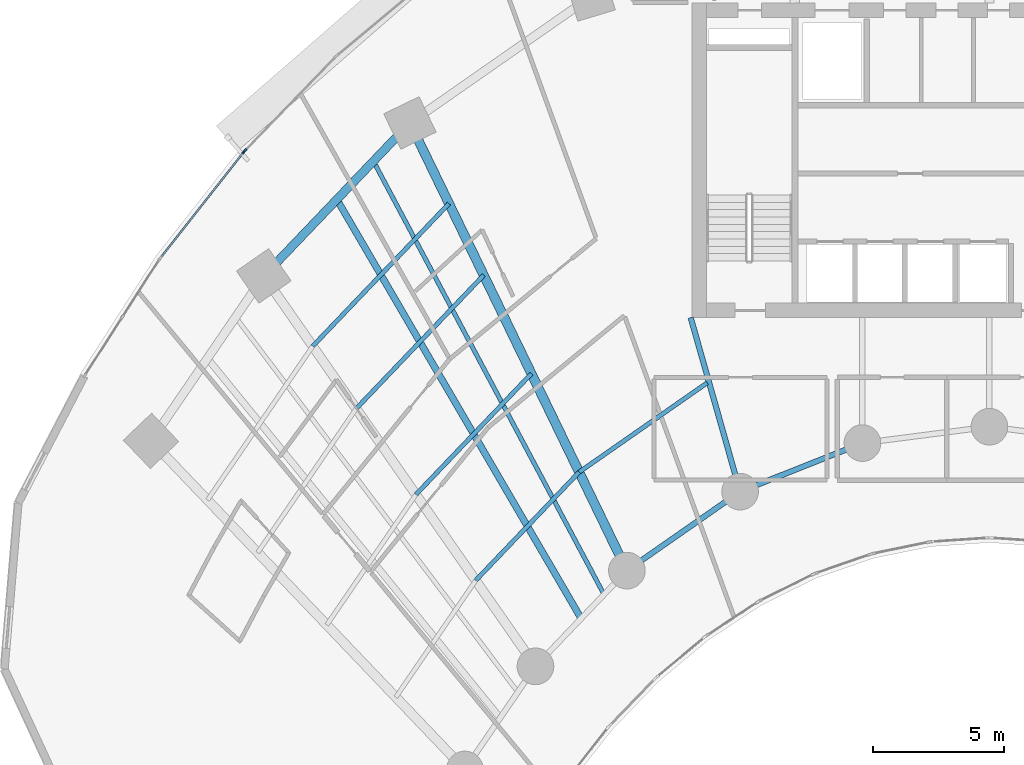
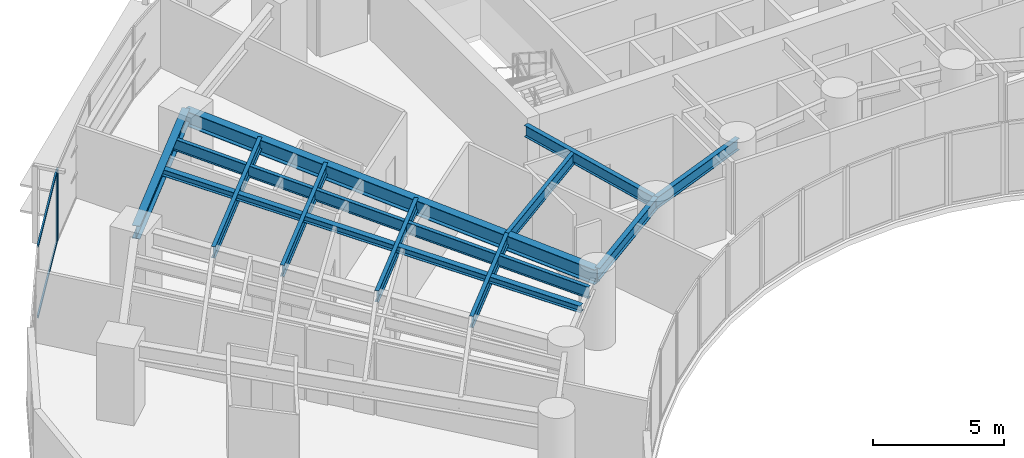
# One storey, part 3 of 17: 12 beams, 4 members, 2 elements without a shape of their own.
"""IFC4 building model written with IfcOpenShell, lengths in metres."""

from ifc_helpers import new_model, si_unit, direction, frame, origin, origin_2d, place, context, subcontext, project, spatial, rectangle, i_section, extrude, source, transform, mapped, material, layer, layer_set, material_profile, profile_set, type_object, type_shapes, element, aggregate, save


model = new_model("IFC4")

# Units and contexts
model_context = context("Model", 3, precision=1e-05, world=origin(), true_north=direction((0.0, 1.0)))
body_context = subcontext(model_context, "Body", "Model", "MODEL_VIEW")
ifc_project = project(units=[si_unit("LENGTHUNIT", "METRE"), si_unit("AREAUNIT", "SQUARE_METRE"), si_unit("VOLUMEUNIT", "CUBIC_METRE"), si_unit("PLANEANGLEUNIT", "RADIAN"), si_unit("MASSUNIT", "GRAM", prefix="KILO")], contexts=[model_context])

# Site, building, storey
site_placement = place(None, origin())
site = spatial("IfcSite", under=ifc_project, at=site_placement, CompositionType="ELEMENT")
building_placement = place(site_placement, origin())
building = spatial("IfcBuilding", under=site, at=building_placement, Name="Breltana Convention Tower", CompositionType="ELEMENT")
storey_placement = place(building_placement, frame((0.0, 0.0, 49.800048828125)))
storey = spatial("IfcBuildingStorey", under=building, at=storey_placement, Name="L10", CompositionType="ELEMENT", Elevation=49.800048828125)

# Beams
ifc_material_1 = material(Name="Steel ASTM A992 Grade 50", Category="steel")
ifc_material_profile_1 = material_profile(ifc_material_1, i_section(OverallWidth=0.323974609375, OverallDepth=0.611083984375, WebThickness=0.0126953125, FlangeThickness=0.01904296875, at=origin_2d()), Name="W24X104")
ifc_profile_set_1 = profile_set([ifc_material_profile_1], Name="Steel ASTM A992 Grade 50")
beam_type_1 = type_object("IfcBeamType", Name="BM-SP-W24X104", PredefinedType="SPANDREL", material=ifc_profile_set_1)
shared_shape_1 = source(origin(), body_context, "Body", "SweptSolid", [
    extrude(i_section(OverallWidth=0.323974609375, OverallDepth=0.611083984375, WebThickness=0.0126953125, FlangeThickness=0.01904296875, at=origin_2d()), origin(), (0.0, 0.0, 1.0), 8.073974609375),
])
beam_1_placement = place(storey_placement, frame((20.310791015625, 61.78857421875, 3.054443359375), z_axis=(0.69072885448, 0.723113856588, 0.0), x_axis=(-0.723113856588, 0.69072885448, 0.0)))
element("IfcBeam", 1, at=beam_1_placement, inside=storey, type_object=beam_type_1, Name="L10 Outer Spandrel Beam 02", PredefinedType="SPANDREL", context=body_context, shape_type="MappedRepresentation", body=[
    mapped(shared_shape_1, transform((0.0, 0.0, 0.0), scale=1.0)),
])
ifc_material_profile_2 = material_profile(ifc_material_1, i_section(OverallWidth=0.35498046875, OverallDepth=0.696044921875, WebThickness=0.015380859375, FlangeThickness=0.02490234375, at=origin_2d()), Name="W27X146")
ifc_profile_set_2 = profile_set([ifc_material_profile_2], Name="Steel ASTM A992 Grade 50")
beam_type_2 = type_object("IfcBeamType", Name="BM-RG-W27X146", PredefinedType="USERDEFINED", material=ifc_profile_set_2)
shared_shape_2 = source(origin(), body_context, "Body", "SweptSolid", [
    extrude(i_section(OverallWidth=0.35498046875, OverallDepth=0.696044921875, WebThickness=0.015380859375, FlangeThickness=0.02490234375, at=origin_2d()), origin(), (0.0, 0.0, 1.0), 18.982421875),
])
beam_2_placement = place(storey_placement, frame((34.166259765625, 50.544921875, 3.011962890625), z_axis=(-0.436118560343, 0.89988921614, 0.0), x_axis=(-0.89988921614, -0.436118560343, 0.0)))
element("IfcBeam", 2, at=beam_2_placement, inside=storey, type_object=beam_type_2, Name="L10 Radial Floor Girder R03", ObjectType="GIRDER", PredefinedType="USERDEFINED", context=body_context, shape_type="MappedRepresentation", body=[
    mapped(shared_shape_2, transform((0.0, 0.0, 0.0), scale=1.0)),
])
ifc_material_profile_3 = material_profile(ifc_material_1, i_section(OverallWidth=0.2099609375, OverallDepth=0.537109375, WebThickness=0.010986328125, FlangeThickness=0.017333984375, at=origin_2d()), Name="W21X68")
ifc_profile_set_3 = profile_set([ifc_material_profile_3], Name="Steel ASTM A992 Grade 50")
beam_type_3 = type_object("IfcBeamType", Name="BM-BM-W21X68", PredefinedType="BEAM", material=ifc_profile_set_3)
shared_shape_3 = source(origin(), body_context, "Body", "SweptSolid", [
    extrude(i_section(OverallWidth=0.2099609375, OverallDepth=0.537109375, WebThickness=0.010986328125, FlangeThickness=0.017333984375, at=origin_2d()), origin(), (0.0, 0.0, 1.0), 6.904541015625),
])
type_shapes(beam_type_3, [shared_shape_3])
beam_3_placement = place(storey_placement, frame((36.60009765625, 60.199951171875, 3.091552734375), z_axis=(0.273006781054, -0.962012108811, 0.0), x_axis=(0.962012108811, 0.273006781054, 0.0)))
element("IfcBeam", 3, at=beam_3_placement, inside=storey, type_object=beam_type_3, Name="L10 South Core Tie Girder R04", PredefinedType="BEAM", context=body_context, shape_type="MappedRepresentation", body=[
    mapped(shared_shape_3, transform((0.0, 0.0, 0.0), scale=1.0)),
])
shared_shape_4 = source(origin(), body_context, "Body", "SweptSolid", [
    extrude(i_section(OverallWidth=0.2099609375, OverallDepth=0.537109375, WebThickness=0.010986328125, FlangeThickness=0.017333984375, at=origin_2d()), origin(), (0.0, 0.0, 1.0), 5.265869140625),
])
beam_4_placement = place(storey_placement, frame((34.166259765625, 50.544921875, 3.091552734375), z_axis=(0.820167429517, 0.572123577176, 0.0), x_axis=(-0.572123577176, 0.820167429517, 0.0)))
element("IfcBeam", 4, at=beam_4_placement, inside=storey, type_object=beam_type_3, Name="L10 Inner Ring Beam 03", PredefinedType="BEAM", context=body_context, shape_type="MappedRepresentation", body=[
    mapped(shared_shape_4, transform((0.0, 0.0, 0.0), scale=1.0)),
])
shared_shape_5 = source(origin(), body_context, "Body", "SweptSolid", [
    extrude(i_section(OverallWidth=0.2099609375, OverallDepth=0.537109375, WebThickness=0.010986328125, FlangeThickness=0.017333984375, at=origin_2d()), origin(), (0.0, 0.0, 1.0), 5.022705078125),
])
beam_5_placement = place(storey_placement, frame((38.485107421875, 53.5576171875, 3.091552734375), z_axis=(0.929458966248, 0.368925507469, 0.0), x_axis=(-0.368925507469, 0.929458966248, 0.0)))
element("IfcBeam", 5, at=beam_5_placement, inside=storey, type_object=beam_type_3, Name="L10 Inner Ring Beam 04", PredefinedType="BEAM", context=body_context, shape_type="MappedRepresentation", body=[
    mapped(shared_shape_5, transform((0.0, 0.0, 0.0), scale=1.0)),
])
ifc_material_profile_4 = material_profile(ifc_material_1, i_section(OverallWidth=0.166015625, OverallDepth=0.534912109375, WebThickness=0.01025390625, FlangeThickness=0.0166015625, at=origin_2d()), Name="W21X57")
ifc_profile_set_4 = profile_set([ifc_material_profile_4], Name="Steel ASTM A992 Grade 50")
beam_type_4 = type_object("IfcBeamType", Name="BM-JSG-05", PredefinedType="JOIST", material=ifc_profile_set_4)
shared_shape_6 = source(origin(), body_context, "Body", "SweptSolid", [
    extrude(i_section(OverallWidth=0.166015625, OverallDepth=0.534912109375, WebThickness=0.01025390625, FlangeThickness=0.0166015625, at=origin_2d()), origin(), (0.0, 0.0, 1.0), 5.716064453125),
])
beam_6_placement = place(storey_placement, frame((28.396484375, 50.169677734375, 3.092529296875), z_axis=(0.690756060045, 0.723087868458, 0.0), x_axis=(-0.723087868458, 0.690756060045, 0.0)))
element("IfcBeam", 6, at=beam_6_placement, inside=storey, type_object=beam_type_4, Name="L10 Composite Floor Joist 02.1", PredefinedType="JOIST", context=body_context, shape_type="MappedRepresentation", body=[
    mapped(shared_shape_6, transform((0.0, 0.0, 0.0), scale=1.0)),
])
shared_shape_7 = source(origin(), body_context, "Body", "SweptSolid", [
    extrude(i_section(OverallWidth=0.166015625, OverallDepth=0.534912109375, WebThickness=0.01025390625, FlangeThickness=0.0166015625, at=origin_2d()), origin(), (0.0, 0.0, 1.0), 6.381103515625),
])
beam_7_placement = place(storey_placement, frame((26.115966796875, 53.44677734375, 3.092529296875), z_axis=(0.690737768889, 0.723105341309, 0.0), x_axis=(-0.723105341309, 0.690737768889, 0.0)))
element("IfcBeam", 7, at=beam_7_placement, inside=storey, type_object=beam_type_4, Name="L10 Composite Floor Joist 02.2", PredefinedType="JOIST", context=body_context, shape_type="MappedRepresentation", body=[
    mapped(shared_shape_7, transform((0.0, 0.0, 0.0), scale=1.0)),
])
shared_shape_8 = source(origin(), body_context, "Body", "SweptSolid", [
    extrude(i_section(OverallWidth=0.166015625, OverallDepth=0.534912109375, WebThickness=0.01025390625, FlangeThickness=0.0166015625, at=origin_2d()), origin(), (0.0, 0.0, 1.0), 7.046142578125),
])
beam_8_placement = place(storey_placement, frame((23.83544921875, 56.723876953125, 3.092529296875), z_axis=(0.690722929904, 0.723119515782, 0.0), x_axis=(-0.723119515782, 0.690722929904, 0.0)))
element("IfcBeam", 8, at=beam_8_placement, inside=storey, type_object=beam_type_4, Name="L10 Composite Floor Joist 02.3", PredefinedType="JOIST", context=body_context, shape_type="MappedRepresentation", body=[
    mapped(shared_shape_8, transform((0.0, 0.0, 0.0), scale=1.0)),
])
shared_shape_9 = source(origin(), body_context, "Body", "SweptSolid", [
    extrude(i_section(OverallWidth=0.166015625, OverallDepth=0.534912109375, WebThickness=0.01025390625, FlangeThickness=0.0166015625, at=origin_2d()), origin(), (0.0, 0.0, 1.0), 7.529541015625),
])
beam_9_placement = place(storey_placement, frame((22.1767578125, 59.107421875, 3.092529296875), z_axis=(0.690725562031, 0.723117001568, 0.0), x_axis=(-0.723117001568, 0.690725562031, 0.0)))
element("IfcBeam", 9, at=beam_9_placement, inside=storey, type_object=beam_type_4, Name="L10 Composite Floor Joist 02.4", PredefinedType="JOIST", context=body_context, shape_type="MappedRepresentation", body=[
    mapped(shared_shape_9, transform((0.0, 0.0, 0.0), scale=1.0)),
])
ifc_material_profile_5 = material_profile(ifc_material_1, i_section(OverallWidth=0.25390625, OverallDepth=0.305908203125, WebThickness=0.0087890625, FlangeThickness=0.0146484375, at=origin_2d()), Name="W12X53")
ifc_profile_set_5 = profile_set([ifc_material_profile_5], Name="Steel ASTM A992 Grade 50")
beam_type_5 = type_object("IfcBeamType", Name="BM-JSG-10", PredefinedType="JOIST", material=ifc_profile_set_5)
shared_shape_10 = source(origin(), body_context, "Body", "SweptSolid", [
    extrude(i_section(OverallWidth=0.25390625, OverallDepth=0.305908203125, WebThickness=0.0087890625, FlangeThickness=0.0146484375, at=origin_2d()), origin(), (0.0, 0.0, 1.0), 18.50830078125),
])
beam_10_placement = place(storey_placement, frame((32.421630859375, 48.71875, 3.20703125), z_axis=(-0.50368319637, 0.863888440537, 0.0), x_axis=(-0.863888440537, -0.50368319637, 0.0)))
element("IfcBeam", 10, at=beam_10_placement, inside=storey, type_object=beam_type_5, Name="L10 Mid-Bay Radial Trimmer 02", PredefinedType="JOIST", context=body_context, shape_type="MappedRepresentation", body=[
    mapped(shared_shape_10, transform((0.0, 0.0, 0.0), scale=1.0)),
])
shared_shape_11 = source(origin(), body_context, "Body", "SweptSolid", [
    extrude(i_section(OverallWidth=0.166015625, OverallDepth=0.534912109375, WebThickness=0.01025390625, FlangeThickness=0.0166015625, at=origin_2d()), origin(), (0.0, 0.0, 1.0), 18.731689453125),
])
beam_11_placement = place(storey_placement, frame((33.2939453125, 49.6318359375, 3.092529296875), z_axis=(-0.469820250451, 0.882762104004, 0.0), x_axis=(-0.882762104004, -0.469820250451, 0.0)))
element("IfcBeam", 11, at=beam_11_placement, inside=storey, type_object=beam_type_4, Name="L10 Quarter-Bay Radial Trimmer 02", PredefinedType="JOIST", context=body_context, shape_type="MappedRepresentation", body=[
    mapped(shared_shape_11, transform((0.0, 0.0, 0.0), scale=1.0)),
])
shared_shape_12 = source(origin(), body_context, "Body", "SweptSolid", [
    extrude(i_section(OverallWidth=0.166015625, OverallDepth=0.534912109375, WebThickness=0.01025390625, FlangeThickness=0.0166015625, at=origin_2d()), origin(), (0.0, 0.0, 1.0), 5.959228515625),
])
beam_12_placement = place(storey_placement, frame((32.344970703125, 54.302978515625, 3.092529296875), z_axis=(0.820160485262, 0.572133531979, 0.0), x_axis=(-0.572133531979, 0.820160485262, 0.0)))
element("IfcBeam", 12, at=beam_12_placement, inside=storey, type_object=beam_type_4, Name="L10 Composite Floor Joist 03.1", PredefinedType="JOIST", context=body_context, shape_type="MappedRepresentation", body=[
    mapped(shared_shape_12, transform((0.0, 0.0, 0.0), scale=1.0)),
])

# Curtain wall, members
ifc_material_2 = material(Name="Aluminium Anodised Bronze Frame", Category="aluminium")
ifc_layer = layer(ifc_material_2, 0.199951171875, Name="Aluminium Anodised Bronze Frame")
ifc_layer_set = layer_set([ifc_layer], Name="Aluminium Anodised Bronze Frame")
curtain_wall_type = type_object("IfcCurtainWallType", Name="CW-SYS-2", PredefinedType="NOTDEFINED", material=ifc_layer_set)
curtain_wall_1_placement = place(storey_placement, origin())
curtain_wall_1 = element("IfcCurtainWall", 13, at=curtain_wall_1_placement, inside=storey, type_object=curtain_wall_type, Name="L10 outer double-skin inner glazing 2", PredefinedType="NOTDEFINED")
ifc_material_3 = material(Name="Aluminium Anodised Bronze", Category="aluminium")
ifc_material_profile_6 = material_profile(ifc_material_3, rectangle(XDim=0.070068359375, YDim=0.1201171875, at=origin_2d()), Name="CWT-70X120")
ifc_profile_set_6 = profile_set([ifc_material_profile_6], Name="Aluminium Anodised Bronze")
member_type_1 = type_object("IfcMemberType", Name="CWT-120", PredefinedType="USERDEFINED", material=ifc_profile_set_6)
shared_shape_13 = source(origin(), body_context, "Body", "SweptSolid", [
    extrude(rectangle(XDim=0.070068359375, YDim=0.1201171875, at=origin_2d()), origin(), (0.0, 0.0, 1.0), 5.0546875),
])
member_1_placement = place(storey_placement, frame((16.39892578125, 62.51806640625, 0.034912109375), z_axis=(0.618135067667, 0.786071903913, 0.0), x_axis=(-0.786071903913, 0.618135067667, 0.0)))
member_1 = element("IfcMember", 14, at=member_1_placement, type_object=member_type_1, Name="CW-02 transom 1.1", ObjectType="TRANSOM", PredefinedType="USERDEFINED", context=body_context, shape_type="MappedRepresentation", body=[
    mapped(shared_shape_13, transform((0.0, 0.0, 0.0), scale=1.0)),
])
member_2_placement = place(storey_placement, frame((16.39892578125, 62.51806640625, 3.324951171875), z_axis=(0.618135067667, 0.786071903913, 0.0), x_axis=(-0.786071903913, 0.618135067667, 0.0)))
member_2 = element("IfcMember", 15, at=member_2_placement, type_object=member_type_1, Name="CW-02 transom 1.2", ObjectType="TRANSOM", PredefinedType="USERDEFINED", context=body_context, shape_type="MappedRepresentation", body=[
    mapped(shared_shape_13, transform((0.0, 0.0, 0.0), scale=1.0)),
])
ifc_material_profile_7 = material_profile(ifc_material_3, rectangle(XDim=0.070068359375, YDim=0.175048828125, at=origin_2d()), Name="CWM-70X175")
ifc_profile_set_7 = profile_set([ifc_material_profile_7], Name="Aluminium Anodised Bronze")
member_type_2 = type_object("IfcMemberType", Name="CWM-175", PredefinedType="MULLION", material=ifc_profile_set_7)
shared_shape_14 = source(origin(), body_context, "Body", "SweptSolid", [
    extrude(rectangle(XDim=0.070068359375, YDim=0.175048828125, at=origin_2d()), origin(), (0.0, 0.0, 1.0), 3.35986328125),
])
member_3_placement = place(storey_placement, frame((19.545166015625, 66.518798828125, 0.0), z_axis=(0.0, 0.0, 1.0), x_axis=(-0.786057080698, 0.618153917633, 0.0)))
member_3 = element("IfcMember", 16, at=member_3_placement, type_object=member_type_2, Name="CW-02 mullion 2", PredefinedType="MULLION", context=body_context, shape_type="MappedRepresentation", body=[
    mapped(shared_shape_14, transform((0.0, 0.0, 0.0), scale=1.0)),
])
aggregate(curtain_wall_1, [member_3, member_1, member_2])

# Curtain wall, member
curtain_wall_2_placement = place(storey_placement, origin())
curtain_wall_2 = element("IfcCurtainWall", 17, at=curtain_wall_2_placement, inside=storey, type_object=curtain_wall_type, Name="L10 outer double-skin inner glazing 3", PredefinedType="NOTDEFINED")
member_4_placement = place(storey_placement, frame((19.591064453125, 66.571533203125, 0.0), z_axis=(0.0, 0.0, 1.0), x_axis=(-0.719386421003, 0.694610090106, 0.0)))
member_4 = element("IfcMember", 18, at=member_4_placement, type_object=member_type_2, Name="CW-02 mullion 1", PredefinedType="MULLION", context=body_context, shape_type="MappedRepresentation", body=[
    mapped(shared_shape_14, transform((0.0, 0.0, 0.0), scale=1.0)),
])
aggregate(curtain_wall_2, [member_4])

save(model, "model.ifc")
